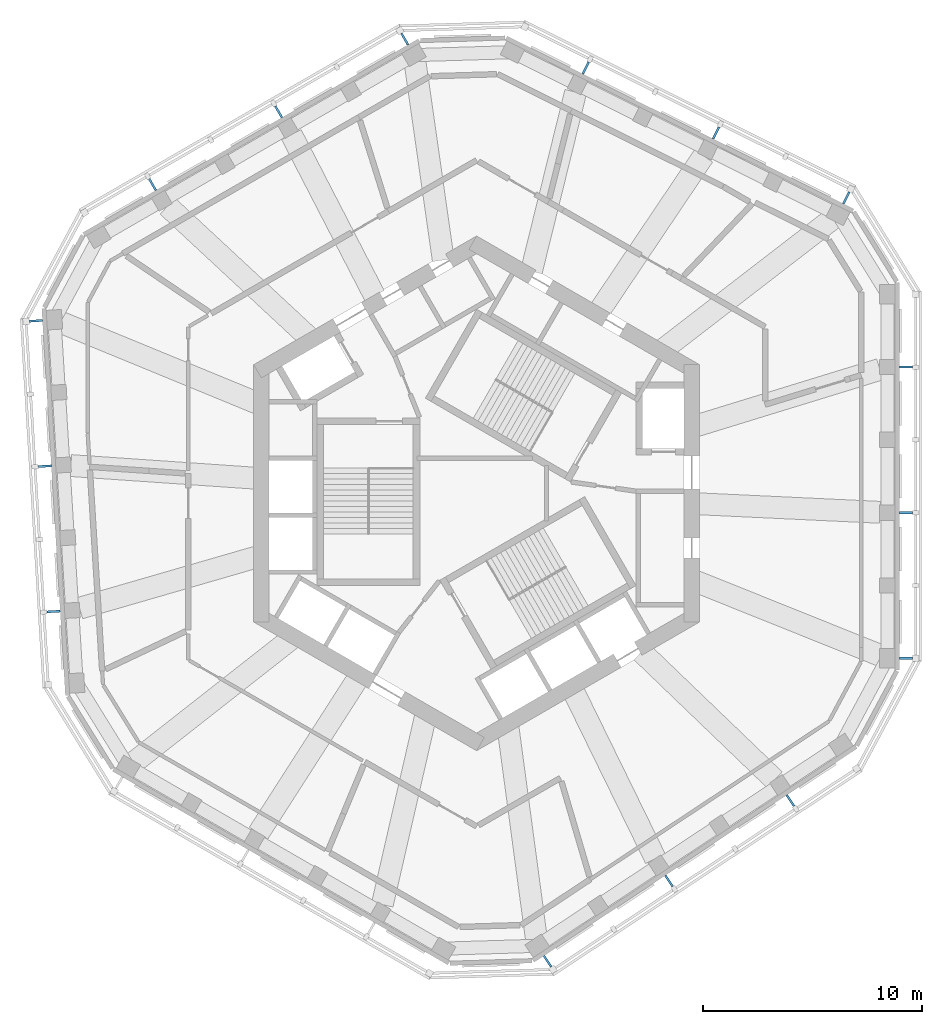
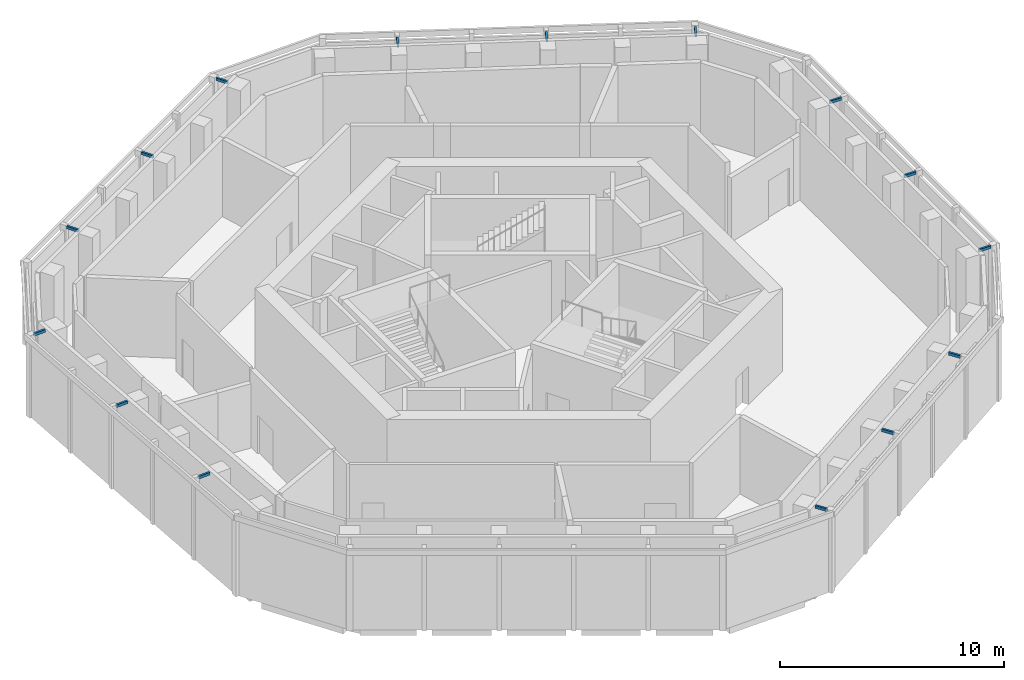
# One storey, part 8 of 9: 15 discrete accessories.
"""IFC4 building model written with IfcOpenShell, lengths in metres."""

from ifc_helpers import new_model, si_unit, direction, frame, origin, origin_2d, place, context, subcontext, project, spatial, rectangle, extrude, material, type_object, element, save


model = new_model("IFC4")

# Units and contexts
model_context = context("Model", 3, precision=1e-05, world=origin(), true_north=direction((0.0, 1.0)))
body_context = subcontext(model_context, "Body", "Model", "MODEL_VIEW")
ifc_project = project(units=[si_unit("LENGTHUNIT", "METRE"), si_unit("AREAUNIT", "SQUARE_METRE"), si_unit("VOLUMEUNIT", "CUBIC_METRE"), si_unit("PLANEANGLEUNIT", "RADIAN"), si_unit("MASSUNIT", "GRAM", prefix="KILO")], contexts=[model_context])

# Site, building, storey
site_placement = place(None, origin())
site = spatial("IfcSite", under=ifc_project, at=site_placement, CompositionType="ELEMENT")
building_placement = place(site_placement, origin())
building = spatial("IfcBuilding", under=site, at=building_placement, Name="Vanh Sen Convention Tower", CompositionType="ELEMENT")
storey_placement = place(building_placement, frame((0.0, 0.0, 300.5)))
storey = spatial("IfcBuildingStorey", under=building, at=storey_placement, Name="L74", CompositionType="ELEMENT", Elevation=300.5)

# Discrete accessories
ifc_material = material(Name="Steel S355", Category="steel")
discrete_accessory_type = type_object("IfcDiscreteAccessoryType", Name="Fin bracket 100 x 150", PredefinedType="BRACKET", material=ifc_material)
for number, where, z_axis, x_axis, name in (
    (1, (19.64990234375, -7.546630859375, 4.300048828125), (0.0, 0.0, 1.0), (1.0, 0.0, 0.0), "Fin bracket E-1 L74"),
    (2, (19.64990234375, -0.88330078125, 4.300048828125), (0.0, 0.0, 1.0), (1.0, 0.0, 0.0), "Fin bracket E-3 L74"),
    (3, (19.64990234375, 5.77978515625, 4.300048828125), (0.0, 0.0, 1.0), (1.0, 0.0, 0.0), "Fin bracket E-5 L74"),
    (4, (16.922119140625, 13.52001953125, 4.300048828125), (0.0, 0.0, 1.0), (0.44619781311, 0.894934361602, 0.0), "Fin bracket NE-1 L74"),
    (5, (10.958740234375, 16.4931640625, 4.300048828125), (0.0, 0.0, 1.0), (0.44619781311, 0.894934361602, 0.0), "Fin bracket NE-3 L74"),
    (6, (4.99560546875, 19.46630859375, 4.300048828125), (0.0, 0.0, 1.0), (0.44619781311, 0.894934361602, 0.0), "Fin bracket NE-5 L74"),
    (7, (-3.289306640625, 20.790771484375, 4.300048828125), (0.0, 0.0, 1.0), (-0.5, 0.866025403784, 0.0), "Fin bracket NW-1 L74"),
    (8, (-9.059814453125, 17.458984375, 4.300048828125), (0.0, 0.0, 1.0), (-0.5, 0.866025403784, 0.0), "Fin bracket NW-3 L74"),
    (9, (-14.83056640625, 14.12744140625, 4.300048828125), (0.0, 0.0, 1.0), (-0.5, 0.866025403784, 0.0), "Fin bracket NW-5 L74"),
    (10, (-20.169677734375, 7.89501953125, 4.300048828125), (0.0, 0.0, 1.0), (-0.998134798422, -0.061048539535, 0.0), "Fin bracket W-1 L74"),
    (11, (-19.7626953125, 1.243896484375, 4.300048828125), (0.0, 0.0, 1.0), (-0.998134798422, -0.061048539535, 0.0), "Fin bracket W-3 L74"),
    (12, (-19.35595703125, -5.40673828125, 4.300048828125), (0.0, 0.0, 1.0), (-0.998134798422, -0.061048539535, 0.0), "Fin bracket W-5 L74"),
    (13, (3.24755859375, -21.414794921875, 4.300048828125), (0.0, 0.0, 1.0), (0.551936985312, -0.833885822067, 0.0), "Fin bracket SE-1 L74"),
    (14, (8.803955078125, -17.737060546875, 4.300048828125), (0.0, 0.0, 1.0), (0.551936985312, -0.833885822067, 0.0), "Fin bracket SE-3 L74"),
    (15, (14.3603515625, -14.059326171875, 4.300048828125), (0.0, 0.0, 1.0), (0.551936985312, -0.833885822067, 0.0), "Fin bracket SE-5 L74"),
):
    element("IfcDiscreteAccessory", number, at=place(storey_placement, frame(where, z_axis=z_axis, x_axis=x_axis)), inside=storey, type_object=discrete_accessory_type, Name=name, PredefinedType="BRACKET", context=body_context, shape_type="SweptSolid", body=[
        extrude(rectangle(XDim=0.60009765625, YDim=0.10009765625, at=origin_2d()), origin(), (0.0, 0.0, 1.0), 0.14990234375),
    ])

save(model, "model.ifc")
